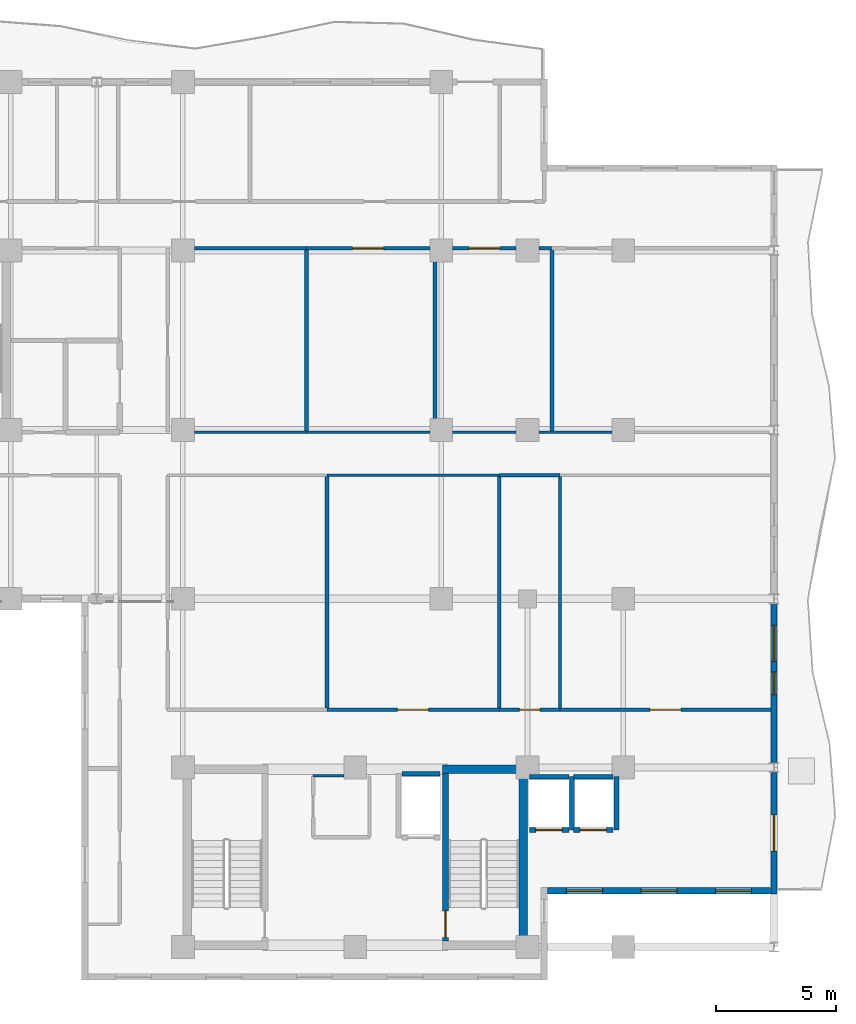
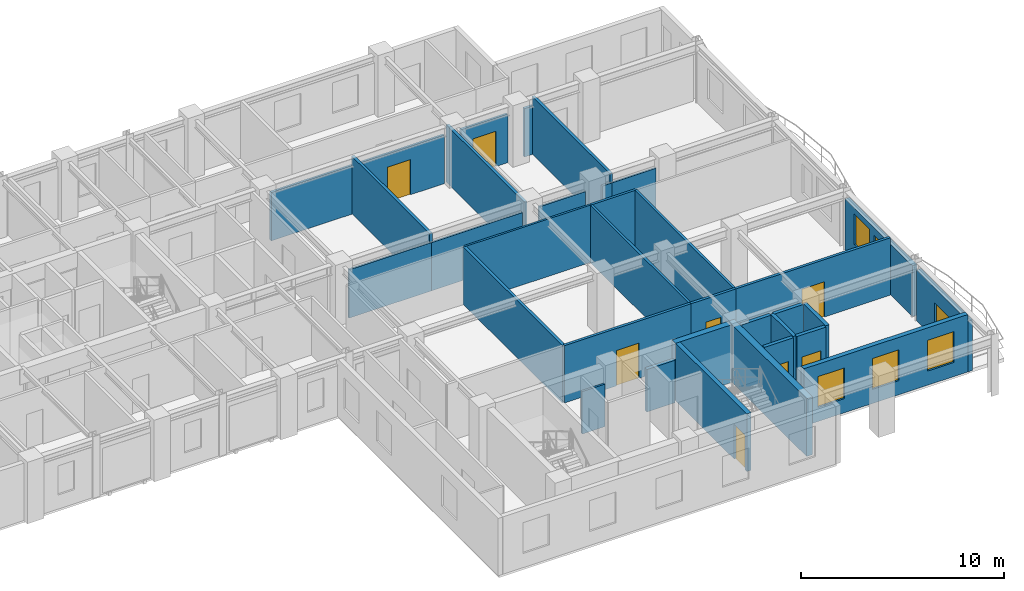
# One storey, part 8 of 14: 34 walls, 9 doors, 5 windows, 14 openings.
"""IFC4 building model written with IfcOpenShell, lengths in metres."""

from ifc_helpers import new_model, si_unit, direction, frame, frame_2d, origin, place, context, subcontext, project, spatial, rectangle, extrude, material, layer, layer_set, type_object, element, fill, save


model = new_model("IFC4")

# Units and contexts
model_context = context("Model", 3, precision=1e-05, world=origin(), true_north=direction((0.0, 1.0)))
body_context = subcontext(model_context, "Body", "Model", "MODEL_VIEW")
ifc_project = project(units=[si_unit("LENGTHUNIT", "METRE"), si_unit("AREAUNIT", "SQUARE_METRE"), si_unit("VOLUMEUNIT", "CUBIC_METRE"), si_unit("PLANEANGLEUNIT", "RADIAN"), si_unit("MASSUNIT", "GRAM", prefix="KILO")], contexts=[model_context])

# Site, building, storey
site_placement = place(None, origin())
site = spatial("IfcSite", under=ifc_project, at=site_placement, CompositionType="ELEMENT")
building_placement = place(site_placement, origin())
building = spatial("IfcBuilding", under=site, at=building_placement, Name="Kaliganga Portal Commons", CompositionType="ELEMENT")
storey_placement = place(building_placement, frame((0.0, 0.0, 227.699951171875)))
storey = spatial("IfcBuildingStorey", under=building, at=storey_placement, Name="L58", CompositionType="ELEMENT", Elevation=227.699951171875)

# Walls
ifc_material_1 = material(Name="Concrete C50/60", Category="concrete")
ifc_layer_1 = layer(ifc_material_1, 0.35009765625)
ifc_layer_set_1 = layer_set([ifc_layer_1], Name="Concrete C50/60")
wall_type_1 = type_object("IfcWallType", Name="WL-CORE-350", PredefinedType="SHEAR", material=ifc_layer_set_1)
wall_1_placement = place(storey_placement, frame((50.22509765625, 6.949951171875, 0.0), z_axis=(0.0, 0.0, 1.0), x_axis=(0.0, 1.0, 0.0)))
element("IfcWall", 1, at=wall_1_placement, inside=storey, type_object=wall_type_1, Name="Core B East Shear Wall L58", PredefinedType="SHEAR", context=body_context, shape_type="SweptSolid", body=[
    extrude(rectangle(XDim=7.699951171875, YDim=0.35009765625, at=frame_2d((3.85009765625, 0.0))), origin(), (0.0, 0.0, 1.0), 3.469970703125),
])
wall_2_placement = place(storey_placement, frame((46.85009765625, 14.47509765625, 0.0), z_axis=(0.0, 0.0, 1.0), x_axis=(1.0, 0.0, 0.0)))
element("IfcWall", 2, at=wall_2_placement, inside=storey, type_object=wall_type_1, Name="Core B N-East Shear Wall L58", PredefinedType="SHEAR", context=body_context, shape_type="SweptSolid", body=[
    extrude(rectangle(XDim=3.199951171875, YDim=0.35009765625, at=frame_2d((1.60009765625, 0.0))), origin(), (0.0, 0.0, 1.0), 3.469970703125),
])

# Wall, openings, windows
ifc_material_2 = material(Name="Insulated Aluminium-Clad Spandrel Assembly", Category="aluminium")
ifc_layer_2 = layer(ifc_material_2, 0.260009765625)
ifc_layer_set_2 = layer_set([ifc_layer_2], Name="Insulated Aluminium-Clad Spandrel Assembly")
wall_type_2 = type_object("IfcWallType", Name="WL-EXT-SPAND-260", PredefinedType="STANDARD", material=ifc_layer_set_2)
wall_3_placement = place(storey_placement, frame((60.56494140625, 9.39990234375, 0.0), z_axis=(0.0, 0.0, 1.0), x_axis=(-1.0, 0.0, 0.0)))
wall_3 = element("IfcWall", 3, at=wall_3_placement, inside=storey, type_object=wall_type_2, Name="Exterior Envelope Wall L58 P1-E02-S1", PredefinedType="STANDARD", context=body_context, shape_type="SweptSolid", body=[
    extrude(rectangle(XDim=9.329833984375, YDim=0.260009765625, at=frame_2d((4.6650390625, 0.0))), origin(), (0.0, 0.0, 1.0), 3.449951171875),
])
opening_1_placement = place(wall_3_placement, frame((0.804931640625, 0.0, 0.85009765625)))
opening_1 = element("IfcOpeningElement", 4, at=opening_1_placement, cuts=wall_3, Name="Opening W-02", PredefinedType="OPENING", context=body_context, shape_type="SweptSolid", body=[
    extrude(rectangle(XDim=1.5, YDim=1.85009765625, at=frame_2d((0.75, 0.925048828125))), frame((0.0, 0.14013671875, 0.0), z_axis=(0.0, -1.0, 0.0), x_axis=(1.0, 0.0, 0.0)), (0.0, 0.0, 1.0), 0.280029296875),
])
opening_2_placement = place(wall_3_placement, frame((3.9150390625, 0.0, 0.85009765625)))
opening_2 = element("IfcOpeningElement", 5, at=opening_2_placement, cuts=wall_3, Name="Opening W-02", PredefinedType="OPENING", context=body_context, shape_type="SweptSolid", body=[
    extrude(rectangle(XDim=1.5, YDim=1.85009765625, at=frame_2d((0.75, 0.925048828125))), frame((0.0, 0.14013671875, 0.0), z_axis=(0.0, -1.0, 0.0), x_axis=(1.0, 0.0, 0.0)), (0.0, 0.0, 1.0), 0.280029296875),
])
opening_3_placement = place(wall_3_placement, frame((7.02490234375, 0.0, 0.85009765625)))
opening_3 = element("IfcOpeningElement", 6, at=opening_3_placement, cuts=wall_3, Name="Opening W-02", PredefinedType="OPENING", context=body_context, shape_type="SweptSolid", body=[
    extrude(rectangle(XDim=1.5, YDim=1.85009765625, at=frame_2d((0.75, 0.925048828125))), frame((0.0, 0.14013671875, 0.0), z_axis=(0.0, -1.0, 0.0), x_axis=(1.0, 0.0, 0.0)), (0.0, 0.0, 1.0), 0.280029296875),
])
ifc_material_3 = material(Name="Thermally Broken Aluminium and Low-E Double Glazing", Category="aluminium")
window_type_1 = type_object("IfcWindowType", Name="WIN-STD-1500", PartitioningType="DOUBLE_PANEL_VERTICAL", PredefinedType="WINDOW", material=ifc_material_3)
window_1_placement = place(opening_1_placement, origin())
window_1 = element("IfcWindow", 7, at=window_1_placement, inside=storey, type_object=window_type_1, Name="Facade Window L58-P1E02S1-00", OverallHeight=1.85009765625, OverallWidth=1.5, PartitioningType="SINGLE_PANEL", PredefinedType="WINDOW", context=body_context, shape_type="SweptSolid", body=[
    extrude(rectangle(XDim=1.5, YDim=1.85009765625, at=frame_2d((0.75, 0.925048828125))), frame((0.0, 0.030029296875, 0.0), z_axis=(0.0, -1.0, 0.0), x_axis=(1.0, 0.0, 0.0)), (0.0, 0.0, 1.0), 0.06005859375),
])
fill(opening_1, window_1)
window_2_placement = place(opening_2_placement, origin())
window_2 = element("IfcWindow", 8, at=window_2_placement, inside=storey, type_object=window_type_1, Name="Facade Window L58-P1E02S1-01", OverallHeight=1.85009765625, OverallWidth=1.5, PartitioningType="SINGLE_PANEL", PredefinedType="WINDOW", context=body_context, shape_type="SweptSolid", body=[
    extrude(rectangle(XDim=1.5, YDim=1.85009765625, at=frame_2d((0.75, 0.925048828125))), frame((0.0, 0.030029296875, 0.0), z_axis=(0.0, -1.0, 0.0), x_axis=(1.0, 0.0, 0.0)), (0.0, 0.0, 1.0), 0.06005859375),
])
fill(opening_2, window_2)
window_3_placement = place(opening_3_placement, origin())
window_3 = element("IfcWindow", 9, at=window_3_placement, inside=storey, type_object=window_type_1, Name="Facade Window L58-P1E02S1-02", OverallHeight=1.85009765625, OverallWidth=1.5, PartitioningType="SINGLE_PANEL", PredefinedType="WINDOW", context=body_context, shape_type="SweptSolid", body=[
    extrude(rectangle(XDim=1.5, YDim=1.85009765625, at=frame_2d((0.75, 0.925048828125))), frame((0.0, 0.030029296875, 0.0), z_axis=(0.0, -1.0, 0.0), x_axis=(1.0, 0.0, 0.0)), (0.0, 0.0, 1.0), 0.06005859375),
])
fill(opening_3, window_3)

# Wall, opening, door
wall_4_placement = place(storey_placement, frame((60.699951171875, 14.34912109375, 0.0), z_axis=(0.0, 0.0, 1.0), x_axis=(0.0, -1.0, 0.0)))
wall_4 = element("IfcWall", 10, at=wall_4_placement, inside=storey, type_object=wall_type_2, Name="Exterior Envelope Wall L58 P1-E03-S1", PredefinedType="STANDARD", context=body_context, shape_type="SweptSolid", body=[
    extrude(rectangle(XDim=5.0791015625, YDim=0.260009765625, at=frame_2d((2.53955078125, 0.0))), origin(), (0.0, 0.0, 1.0), 3.050048828125),
])
opening_4_placement = place(wall_4_placement, frame((1.7900390625, 0.0, 0.0)))
opening_4 = element("IfcOpeningElement", 11, at=opening_4_placement, cuts=wall_4, Name="Opening BD-01", PredefinedType="OPENING", context=body_context, shape_type="SweptSolid", body=[
    extrude(rectangle(XDim=1.5, YDim=2.14990234375, at=frame_2d((0.75, 1.074951171875))), frame((0.0, 0.14013671875, 0.0), z_axis=(0.0, -1.0, 0.0), x_axis=(1.0, 0.0, 0.0)), (0.0, 0.0, 1.0), 0.280029296875),
])
ifc_material_4 = material(Name="Anodized Aluminium and Laminated Safety Glass", Category="aluminium")
door_type_1 = type_object("IfcDoorType", Name="DR-BALC-1500", OperationType="SLIDING_TO_LEFT", PredefinedType="DOOR", material=ifc_material_4)
door_1_placement = place(opening_4_placement, origin())
door_1 = element("IfcDoor", 12, at=door_1_placement, inside=storey, type_object=door_type_1, Name="Balcony Sliding Door L58 balc_east", OperationType="SLIDING_TO_LEFT", OverallHeight=2.14990234375, OverallWidth=1.5, PredefinedType="DOOR", context=body_context, shape_type="SweptSolid", body=[
    extrude(rectangle(XDim=1.5, YDim=2.14990234375, at=frame_2d((0.75, 1.074951171875))), frame((0.0, 0.02490234375, 0.0), z_axis=(0.0, -1.0, 0.0), x_axis=(1.0, 0.0, 0.0)), (0.0, 0.0, 1.0), 0.050048828125),
])
fill(opening_4, door_1)

# Wall, openings, windows
wall_5_placement = place(storey_placement, frame((60.699951171875, 21.39892578125, 0.0), z_axis=(0.0, 0.0, 1.0), x_axis=(0.0, -1.0, 0.0)))
wall_5 = element("IfcWall", 13, at=wall_5_placement, inside=storey, type_object=wall_type_2, Name="Exterior Envelope Wall L58 P1-E03-S2", PredefinedType="STANDARD", context=body_context, shape_type="SweptSolid", body=[
    extrude(rectangle(XDim=6.64794921875, YDim=0.260009765625, at=frame_2d((3.323974609375, 0.0))), origin(), (0.0, 0.0, 1.0), 3.050048828125),
])
opening_5_placement = place(wall_5_placement, frame((0.912109375, 0.0, 0.85009765625)))
opening_5 = element("IfcOpeningElement", 14, at=opening_5_placement, cuts=wall_5, Name="Opening W-02", PredefinedType="OPENING", context=body_context, shape_type="SweptSolid", body=[
    extrude(rectangle(XDim=1.5, YDim=1.85009765625, at=frame_2d((0.75, 0.925048828125))), frame((0.0, 0.14013671875, 0.0), z_axis=(0.0, -1.0, 0.0), x_axis=(1.0, 0.0, 0.0)), (0.0, 0.0, 1.0), 0.280029296875),
])
opening_6_placement = place(wall_5_placement, frame((2.84912109375, 0.0, 0.85009765625)))
opening_6 = element("IfcOpeningElement", 15, at=opening_6_placement, cuts=wall_5, Name="Opening W-04", PredefinedType="OPENING", context=body_context, shape_type="SweptSolid", body=[
    extrude(rectangle(XDim=0.949951171875, YDim=1.75, at=frame_2d((0.47509765625, 0.875))), frame((0.0, 0.14013671875, 0.0), z_axis=(0.0, -1.0, 0.0), x_axis=(1.0, 0.0, 0.0)), (0.0, 0.0, 1.0), 0.280029296875),
])
window_type_2 = type_object("IfcWindowType", Name="WIN-NARROW-950", PartitioningType="SINGLE_PANEL", PredefinedType="WINDOW", material=ifc_material_3)
window_4_placement = place(opening_6_placement, origin())
window_4 = element("IfcWindow", 16, at=window_4_placement, inside=storey, type_object=window_type_2, Name="Facade Window L58-P1E03S2-N0", OverallHeight=1.75, OverallWidth=0.949951171875, PartitioningType="SINGLE_PANEL", PredefinedType="WINDOW", context=body_context, shape_type="SweptSolid", body=[
    extrude(rectangle(XDim=0.949951171875, YDim=1.75, at=frame_2d((0.47509765625, 0.875))), frame((0.0, 0.030029296875, 0.0), z_axis=(0.0, -1.0, 0.0), x_axis=(1.0, 0.0, 0.0)), (0.0, 0.0, 1.0), 0.06005859375),
])
fill(opening_6, window_4)
window_5_placement = place(opening_5_placement, origin())
window_5 = element("IfcWindow", 17, at=window_5_placement, inside=storey, type_object=window_type_1, Name="Facade Window L58-P1E03S2-00", OverallHeight=1.85009765625, OverallWidth=1.5, PartitioningType="SINGLE_PANEL", PredefinedType="WINDOW", context=body_context, shape_type="SweptSolid", body=[
    extrude(rectangle(XDim=1.5, YDim=1.85009765625, at=frame_2d((0.75, 0.925048828125))), frame((0.0, 0.030029296875, 0.0), z_axis=(0.0, -1.0, 0.0), x_axis=(1.0, 0.0, 0.0)), (0.0, 0.0, 1.0), 0.06005859375),
])
fill(opening_5, window_5)

# Wall, opening, door
ifc_material_5 = material(Name="Fire-Rated Gypsum Board on Steel Stud", Category="steel")
ifc_layer_3 = layer(ifc_material_5, 0.14990234375)
ifc_layer_set_3 = layer_set([ifc_layer_3], Name="Fire-Rated Gypsum Board on Steel Stud")
wall_type_3 = type_object("IfcWallType", Name="WL-PART-CORR-150", PredefinedType="PARTITIONING", material=ifc_layer_set_3)
wall_6_placement = place(storey_placement, frame((51.760009765625, 16.9599609375, 0.0), z_axis=(0.0, 0.0, 1.0), x_axis=(1.0, 0.0, 0.0)))
wall_6 = element("IfcWall", 18, at=wall_6_placement, inside=storey, type_object=wall_type_3, Name="Interior Partition L58-005", PredefinedType="PARTITIONING", context=body_context, shape_type="SweptSolid", body=[
    extrude(rectangle(XDim=8.80810546875, YDim=0.14990234375, at=frame_2d((4.404052734375, 0.0))), origin(), (0.0, 0.0, 1.0), 3.449951171875),
])
opening_7_placement = place(wall_6_placement, frame((3.75390625, 0.0, 0.0)))
opening_7 = element("IfcOpeningElement", 19, at=opening_7_placement, cuts=wall_6, Name="Opening RD-03", PredefinedType="OPENING", context=body_context, shape_type="SweptSolid", body=[
    extrude(rectangle(XDim=1.300048828125, YDim=2.1201171875, at=frame_2d((0.64990234375, 1.06005859375))), frame((0.0, 0.0849609375, 0.0), z_axis=(0.0, -1.0, 0.0), x_axis=(1.0, 0.0, 0.0)), (0.0, 0.0, 1.0), 0.169921875),
])
ifc_material_6 = material(Name="Glazed Timber Seminar Vision Door", Category="wood")
door_type_2 = type_object("IfcDoorType", Name="DR-STUDY-1300", OperationType="DOUBLE_DOOR_SINGLE_SWING", PredefinedType="DOOR", material=ifc_material_6)
door_2_placement = place(opening_7_placement, origin())
door_2 = element("IfcDoor", 20, at=door_2_placement, inside=storey, type_object=door_type_2, Name="Interior Door L58-BM04", OperationType="DOUBLE_DOOR_SINGLE_SWING", OverallHeight=2.1201171875, OverallWidth=1.300048828125, PredefinedType="DOOR", context=body_context, shape_type="SweptSolid", body=[
    extrude(rectangle(XDim=1.300048828125, YDim=2.1201171875, at=frame_2d((0.64990234375, 1.06005859375))), frame((0.0, 0.02490234375, 0.0), z_axis=(0.0, -1.0, 0.0), x_axis=(1.0, 0.0, 0.0)), (0.0, 0.0, 1.0), 0.050048828125),
])
fill(opening_7, door_2)

wall_7_placement = place(storey_placement, frame((42.02001953125, 16.9599609375, 0.0), z_axis=(0.0, 0.0, 1.0), x_axis=(1.0, 0.0, 0.0)))
wall_7 = element("IfcWall", 21, at=wall_7_placement, inside=storey, type_object=wall_type_3, Name="Interior Partition L58-007", PredefinedType="PARTITIONING", context=body_context, shape_type="SweptSolid", body=[
    extrude(rectangle(XDim=7.199951171875, YDim=0.14990234375, at=frame_2d((3.60009765625, 0.0))), origin(), (0.0, 0.0, 1.0), 3.449951171875),
])
opening_8_placement = place(wall_7_placement, frame((2.949951171875, 0.0, 0.0)))
opening_8 = element("IfcOpeningElement", 22, at=opening_8_placement, cuts=wall_7, Name="Opening RD-03", PredefinedType="OPENING", context=body_context, shape_type="SweptSolid", body=[
    extrude(rectangle(XDim=1.300048828125, YDim=2.1201171875, at=frame_2d((0.64990234375, 1.06005859375))), frame((0.0, 0.0849609375, 0.0), z_axis=(0.0, -1.0, 0.0), x_axis=(1.0, 0.0, 0.0)), (0.0, 0.0, 1.0), 0.169921875),
])
door_3_placement = place(opening_8_placement, origin())
door_3 = element("IfcDoor", 23, at=door_3_placement, inside=storey, type_object=door_type_2, Name="Interior Door L58-BM02", OperationType="DOUBLE_DOOR_SINGLE_SWING", OverallHeight=2.1201171875, OverallWidth=1.300048828125, PredefinedType="DOOR", context=body_context, shape_type="SweptSolid", body=[
    extrude(rectangle(XDim=1.300048828125, YDim=2.1201171875, at=frame_2d((0.64990234375, 1.06005859375))), frame((0.0, 0.02490234375, 0.0), z_axis=(0.0, -1.0, 0.0), x_axis=(1.0, 0.0, 0.0)), (0.0, 0.0, 1.0), 0.050048828125),
])
fill(opening_8, door_3)

# Wall
wall_8_placement = place(storey_placement, frame((36.47509765625, 36.239990234375, 0.0), z_axis=(0.0, 0.0, 1.0), x_axis=(1.0, 0.0, 0.0)))
element("IfcWall", 24, at=wall_8_placement, inside=storey, type_object=wall_type_3, Name="Interior Partition L58-014", PredefinedType="PARTITIONING", context=body_context, shape_type="SweptSolid", body=[
    extrude(rectangle(XDim=4.684814453125, YDim=0.14990234375, at=frame_2d((2.34228515625, 0.0))), origin(), (0.0, 0.0, 1.0), 2.900146484375),
])

# Wall, opening, door
wall_9_placement = place(storey_placement, frame((41.159912109375, 36.239990234375, 0.0), z_axis=(0.0, 0.0, 1.0), x_axis=(1.0, 0.0, 0.0)))
wall_9 = element("IfcWall", 25, at=wall_9_placement, inside=storey, type_object=wall_type_3, Name="Interior Partition L58-017", PredefinedType="PARTITIONING", context=body_context, shape_type="SweptSolid", body=[
    extrude(rectangle(XDim=5.1650390625, YDim=0.14990234375, at=frame_2d((2.58251953125, 0.0))), origin(), (0.0, 0.0, 1.0), 2.900146484375),
])
opening_9_placement = place(wall_9_placement, frame((1.9326171875, 0.0, 0.0)))
opening_9 = element("IfcOpeningElement", 26, at=opening_9_placement, cuts=wall_9, Name="Opening RD-03", PredefinedType="OPENING", context=body_context, shape_type="SweptSolid", body=[
    extrude(rectangle(XDim=1.300048828125, YDim=2.1201171875, at=frame_2d((0.64990234375, 1.06005859375))), frame((0.0, 0.0849609375, 0.0), z_axis=(0.0, -1.0, 0.0), x_axis=(1.0, 0.0, 0.0)), (0.0, 0.0, 1.0), 0.169921875),
])
door_4_placement = place(opening_9_placement, origin())
door_4 = element("IfcDoor", 27, at=door_4_placement, inside=storey, type_object=door_type_2, Name="Interior Door L58-BK02", OperationType="DOUBLE_DOOR_SINGLE_SWING", OverallHeight=2.1201171875, OverallWidth=1.300048828125, PredefinedType="DOOR", context=body_context, shape_type="SweptSolid", body=[
    extrude(rectangle(XDim=1.300048828125, YDim=2.1201171875, at=frame_2d((0.64990234375, 1.06005859375))), frame((0.0, 0.02490234375, 0.0), z_axis=(0.0, -1.0, 0.0), x_axis=(1.0, 0.0, 0.0)), (0.0, 0.0, 1.0), 0.050048828125),
])
fill(opening_9, door_4)

wall_10_placement = place(storey_placement, frame((47.27490234375, 36.239990234375, 0.0), z_axis=(0.0, 0.0, 1.0), x_axis=(1.0, 0.0, 0.0)))
wall_10 = element("IfcWall", 28, at=wall_10_placement, inside=storey, type_object=wall_type_3, Name="Interior Partition L58-020", PredefinedType="PARTITIONING", context=body_context, shape_type="SweptSolid", body=[
    extrude(rectangle(XDim=2.650146484375, YDim=0.14990234375, at=frame_2d((1.3251953125, 0.0))), origin(), (0.0, 0.0, 1.0), 2.900146484375),
])
opening_10_placement = place(wall_10_placement, frame((0.675048828125, 0.0, 0.0)))
opening_10 = element("IfcOpeningElement", 29, at=opening_10_placement, cuts=wall_10, Name="Opening RD-03", PredefinedType="OPENING", context=body_context, shape_type="SweptSolid", body=[
    extrude(rectangle(XDim=1.300048828125, YDim=2.1201171875, at=frame_2d((0.64990234375, 1.06005859375))), frame((0.0, 0.0849609375, 0.0), z_axis=(0.0, -1.0, 0.0), x_axis=(1.0, 0.0, 0.0)), (0.0, 0.0, 1.0), 0.169921875),
])
door_5_placement = place(opening_10_placement, origin())
door_5 = element("IfcDoor", 30, at=door_5_placement, inside=storey, type_object=door_type_2, Name="Interior Door L58-BK03", OperationType="DOUBLE_DOOR_SINGLE_SWING", OverallHeight=2.1201171875, OverallWidth=1.300048828125, PredefinedType="DOOR", context=body_context, shape_type="SweptSolid", body=[
    extrude(rectangle(XDim=1.300048828125, YDim=2.1201171875, at=frame_2d((0.64990234375, 1.06005859375))), frame((0.0, 0.02490234375, 0.0), z_axis=(0.0, -1.0, 0.0), x_axis=(1.0, 0.0, 0.0)), (0.0, 0.0, 1.0), 0.050048828125),
])
fill(opening_10, door_5)

# Wall
wall_11_placement = place(storey_placement, frame((50.875, 36.239990234375, 0.0), z_axis=(0.0, 0.0, 1.0), x_axis=(1.0, 0.0, 0.0)))
element("IfcWall", 31, at=wall_11_placement, inside=storey, type_object=wall_type_3, Name="Interior Partition L58-021", PredefinedType="PARTITIONING", context=body_context, shape_type="SweptSolid", body=[
    extrude(rectangle(XDim=0.544921875, YDim=0.14990234375, at=frame_2d((0.2724609375, 0.0))), origin(), (0.0, 0.0, 1.0), 2.900146484375),
])

# Wall, opening, door
wall_12_placement = place(storey_placement, frame((49.219970703125, 16.9599609375, 0.0), z_axis=(0.0, 0.0, 1.0), x_axis=(1.0, 0.0, 0.0)))
wall_12 = element("IfcWall", 32, at=wall_12_placement, inside=storey, type_object=wall_type_3, Name="Interior Partition L58-032", PredefinedType="PARTITIONING", context=body_context, shape_type="SweptSolid", body=[
    extrude(rectangle(XDim=2.5400390625, YDim=0.14990234375, at=frame_2d((1.27001953125, 0.0))), origin(), (0.0, 0.0, 1.0), 3.449951171875),
])
opening_11_placement = place(wall_12_placement, frame((0.844970703125, 0.0, 0.0)))
opening_11 = element("IfcOpeningElement", 33, at=opening_11_placement, cuts=wall_12, Name="Opening WD-01", PredefinedType="OPENING", context=body_context, shape_type="SweptSolid", body=[
    extrude(rectangle(XDim=0.85009765625, YDim=2.0400390625, at=frame_2d((0.425048828125, 1.02001953125))), frame((0.0, 0.0849609375, 0.0), z_axis=(0.0, -1.0, 0.0), x_axis=(1.0, 0.0, 0.0)), (0.0, 0.0, 1.0), 0.169921875),
])
ifc_material_7 = material(Name="Moisture-Resistant Laminate Timber Door", Category="wood")
door_type_3 = type_object("IfcDoorType", Name="DR-WET-850", OperationType="NOTDEFINED", PredefinedType="DOOR", material=ifc_material_7)
door_6_placement = place(opening_11_placement, origin())
door_6 = element("IfcDoor", 34, at=door_6_placement, inside=storey, type_object=door_type_3, Name="Interior Door L58-BM03", OperationType="SINGLE_SWING_RIGHT", OverallHeight=2.0400390625, OverallWidth=0.85009765625, PredefinedType="DOOR", context=body_context, shape_type="SweptSolid", body=[
    extrude(rectangle(XDim=0.85009765625, YDim=2.0400390625, at=frame_2d((0.425048828125, 1.02001953125))), frame((0.0, 0.02490234375, 0.0), z_axis=(0.0, -1.0, 0.0), x_axis=(1.0, 0.0, 0.0)), (0.0, 0.0, 1.0), 0.050048828125),
])
fill(opening_11, door_6)

# Walls
ifc_material_8 = material(Name="Moisture-Resistant Gypsum Partition", Category="gypsum")
ifc_layer_4 = layer(ifc_material_8, 0.114990234375)
ifc_layer_set_4 = layer_set([ifc_layer_4], Name="Moisture-Resistant Gypsum Partition")
wall_type_4 = type_object("IfcWallType", Name="WL-PART-ROOM-115", PredefinedType="PARTITIONING", material=ifc_layer_set_4)
wall_13_placement = place(storey_placement, frame((51.419921875, 28.56005859375, 0.0), z_axis=(0.0, 0.0, 1.0), x_axis=(1.0, 0.0, 0.0)))
element("IfcWall", 35, at=wall_13_placement, inside=storey, type_object=wall_type_4, Name="Interior Partition L58-048", PredefinedType="PARTITIONING", context=body_context, shape_type="SweptSolid", body=[
    extrude(rectangle(XDim=2.505126953125, YDim=0.114990234375, at=frame_2d((1.25244140625, 0.0))), origin(), (0.0, 0.0, 1.0), 2.900146484375),
])
wall_14_placement = place(storey_placement, frame((42.02001953125, 26.760009765625, 0.0), z_axis=(0.0, 0.0, 1.0), x_axis=(1.0, 0.0, 0.0)))
element("IfcWall", 36, at=wall_14_placement, inside=storey, type_object=wall_type_4, Name="Interior Partition L58-054", PredefinedType="PARTITIONING", context=body_context, shape_type="SweptSolid", body=[
    extrude(rectangle(XDim=7.199951171875, YDim=0.114990234375, at=frame_2d((3.60009765625, 0.0))), origin(), (0.0, 0.0, 1.0), 3.449951171875),
])
wall_15_placement = place(storey_placement, frame((36.47509765625, 28.56005859375, 0.0), z_axis=(0.0, 0.0, 1.0), x_axis=(1.0, 0.0, 0.0)))
element("IfcWall", 37, at=wall_15_placement, inside=storey, type_object=wall_type_4, Name="Interior Partition L58-056", PredefinedType="PARTITIONING", context=body_context, shape_type="SweptSolid", body=[
    extrude(rectangle(XDim=4.684814453125, YDim=0.114990234375, at=frame_2d((2.34228515625, 0.0))), origin(), (0.0, 0.0, 1.0), 2.900146484375),
])
wall_16_placement = place(storey_placement, frame((41.159912109375, 28.56005859375, 0.0), z_axis=(0.0, 0.0, 1.0), x_axis=(1.0, 0.0, 0.0)))
element("IfcWall", 38, at=wall_16_placement, inside=storey, type_object=wall_type_4, Name="Interior Partition L58-057", PredefinedType="PARTITIONING", context=body_context, shape_type="SweptSolid", body=[
    extrude(rectangle(XDim=5.1650390625, YDim=0.114990234375, at=frame_2d((2.58251953125, 0.0))), origin(), (0.0, 0.0, 1.0), 2.900146484375),
])
wall_17_placement = place(storey_placement, frame((47.27490234375, 28.56005859375, 0.0), z_axis=(0.0, 0.0, 1.0), x_axis=(1.0, 0.0, 0.0)))
element("IfcWall", 39, at=wall_17_placement, inside=storey, type_object=wall_type_4, Name="Interior Partition L58-070", PredefinedType="PARTITIONING", context=body_context, shape_type="SweptSolid", body=[
    extrude(rectangle(XDim=2.650146484375, YDim=0.114990234375, at=frame_2d((1.3251953125, 0.0))), origin(), (0.0, 0.0, 1.0), 2.900146484375),
])
wall_18_placement = place(storey_placement, frame((50.875, 28.56005859375, 0.0), z_axis=(0.0, 0.0, 1.0), x_axis=(1.0, 0.0, 0.0)))
element("IfcWall", 40, at=wall_18_placement, inside=storey, type_object=wall_type_4, Name="Interior Partition L58-071", PredefinedType="PARTITIONING", context=body_context, shape_type="SweptSolid", body=[
    extrude(rectangle(XDim=0.544921875, YDim=0.114990234375, at=frame_2d((0.2724609375, 0.0))), origin(), (0.0, 0.0, 1.0), 2.900146484375),
])
wall_19_placement = place(storey_placement, frame((41.43994140625, 14.199951171875, 0.0), z_axis=(0.0, 0.0, 1.0), x_axis=(1.0, 0.0, 0.0)))
element("IfcWall", 41, at=wall_19_placement, inside=storey, type_object=wall_type_4, Name="Interior Partition L58-078", PredefinedType="PARTITIONING", context=body_context, shape_type="SweptSolid", body=[
    extrude(rectangle(XDim=1.28515625, YDim=0.114990234375, at=frame_2d((0.642578125, 0.0))), origin(), (0.0, 0.0, 1.0), 2.550048828125),
])
ifc_material_9 = material(Name="Twin-Stud Acoustic Gypsum Partition", Category="gypsum")
ifc_layer_5 = layer(ifc_material_9, 0.1650390625)
ifc_layer_set_5 = layer_set([ifc_layer_5], Name="Twin-Stud Acoustic Gypsum Partition")
wall_type_5 = type_object("IfcWallType", Name="WL-PART-UNIT-165", PredefinedType="PARTITIONING", material=ifc_layer_set_5)
wall_20_placement = place(storey_placement, frame((42.02001953125, 16.9599609375, 0.0), z_axis=(0.0, 0.0, 1.0), x_axis=(0.0, 1.0, 0.0)))
element("IfcWall", 42, at=wall_20_placement, inside=storey, type_object=wall_type_5, Name="Interior Partition L58-045", PredefinedType="PARTITIONING", context=body_context, shape_type="SweptSolid", body=[
    extrude(rectangle(XDim=9.800048828125, YDim=0.1650390625, at=frame_2d((4.89990234375, 0.0))), origin(), (0.0, 0.0, 1.0), 3.449951171875),
])
for number, where, z_axis, x_axis, name in (
    (43, (41.159912109375, 28.56005859375, 0.0), (0.0, 0.0, 1.0), (0.0, 1.0, 0.0), "Interior Partition L58-051"),
    (44, (46.5400390625, 28.56005859375, 0.0), (0.0, 0.0, 1.0), (0.0, 1.0, 0.0), "Interior Partition L58-052"),
    (45, (51.419921875, 28.56005859375, 0.0), (0.0, 0.0, 1.0), (0.0, 1.0, 0.0), "Interior Partition L58-053"),
):
    element("IfcWall", number, at=place(storey_placement, frame(where, z_axis=z_axis, x_axis=x_axis)), inside=storey, type_object=wall_type_5, Name=name, PredefinedType="PARTITIONING", context=body_context, shape_type="SweptSolid", body=[
        extrude(rectangle(XDim=7.679931640625, YDim=0.1650390625, at=frame_2d((3.83984375, 0.0))), origin(), (0.0, 0.0, 1.0), 3.449951171875),
    ])
ifc_material_10 = material(Name="Cement-Board Wet-Room Partition", Category="gypsum")
ifc_layer_6 = layer(ifc_material_10, 0.135009765625)
ifc_layer_set_6 = layer_set([ifc_layer_6], Name="Cement-Board Wet-Room Partition")
wall_type_6 = type_object("IfcWallType", Name="WL-PART-WET-135", PredefinedType="PARTITIONING", material=ifc_layer_set_6)
for number, where, z_axis, x_axis, name in (
    (46, (49.219970703125, 16.9599609375, 0.0), (0.0, 0.0, 1.0), (0.0, 1.0, 0.0), "Interior Partition L58-046"),
    (47, (51.760009765625, 16.9599609375, 0.0), (0.0, 0.0, 1.0), (0.0, 1.0, 0.0), "Interior Partition L58-047"),
):
    element("IfcWall", number, at=place(storey_placement, frame(where, z_axis=z_axis, x_axis=x_axis)), inside=storey, type_object=wall_type_6, Name=name, PredefinedType="PARTITIONING", context=body_context, shape_type="SweptSolid", body=[
        extrude(rectangle(XDim=9.800048828125, YDim=0.135009765625, at=frame_2d((4.89990234375, 0.0))), origin(), (0.0, 0.0, 1.0), 3.449951171875),
    ])
wall_21_placement = place(storey_placement, frame((49.219970703125, 26.760009765625, 0.0), z_axis=(0.0, 0.0, 1.0), x_axis=(1.0, 0.0, 0.0)))
element("IfcWall", 48, at=wall_21_placement, inside=storey, type_object=wall_type_6, Name="Interior Partition L58-077", PredefinedType="PARTITIONING", context=body_context, shape_type="SweptSolid", body=[
    extrude(rectangle(XDim=2.5400390625, YDim=0.135009765625, at=frame_2d((1.27001953125, 0.0))), origin(), (0.0, 0.0, 1.0), 3.449951171875),
])

# Wall, opening, door
ifc_material_11 = material(Name="Fire-Rated Shaftwall Masonry Assembly", Category="masonry")
ifc_layer_7 = layer(ifc_material_11, 0.199951171875)
ifc_layer_set_7 = layer_set([ifc_layer_7], Name="Fire-Rated Shaftwall Masonry Assembly")
wall_type_7 = type_object("IfcWallType", Name="WL-SHAFT-200", PredefinedType="PARTITIONING", material=ifc_layer_set_7)
wall_22_placement = place(storey_placement, frame((50.47509765625, 11.93505859375, 0.0), z_axis=(0.0, 0.0, 1.0), x_axis=(1.0, 0.0, 0.0)))
wall_22 = element("IfcWall", 49, at=wall_22_placement, inside=storey, type_object=wall_type_7, Name="Lift PL-B3 Hoistway Shaft Wall L58-S", PredefinedType="PARTITIONING", context=body_context, shape_type="SweptSolid", body=[
    extrude(rectangle(XDim=1.64990234375, YDim=0.199951171875, at=frame_2d((0.824951171875, 0.0))), origin(), (0.0, 0.0, 1.0), 3.449951171875),
])
opening_12_placement = place(wall_22_placement, frame((0.27490234375, 0.0, 0.0)))
opening_12 = element("IfcOpeningElement", 50, at=opening_12_placement, cuts=wall_22, Name="Opening LD-01", PredefinedType="OPENING", context=body_context, shape_type="SweptSolid", body=[
    extrude(rectangle(XDim=1.10009765625, YDim=2.1201171875, at=frame_2d((0.550048828125, 1.06005859375))), frame((0.0, 0.10986328125, 0.0), z_axis=(0.0, -1.0, 0.0), x_axis=(1.0, 0.0, 0.0)), (0.0, 0.0, 1.0), 0.219970703125),
])
ifc_material_12 = material(Name="Brushed Stainless Steel 316 Lift Landing Door", Category="steel")
door_type_4 = type_object("IfcDoorType", Name="DR-LIFT-1100", OperationType="SLIDING_TO_LEFT", PredefinedType="DOOR", material=ifc_material_12)
door_7_placement = place(opening_12_placement, origin())
door_7 = element("IfcDoor", 51, at=door_7_placement, inside=storey, type_object=door_type_4, Name="Lift PL-B3 Sliding Landing Door L58", OperationType="SLIDING_TO_LEFT", OverallHeight=2.1201171875, OverallWidth=1.10009765625, PredefinedType="DOOR", context=body_context, shape_type="SweptSolid", body=[
    extrude(rectangle(XDim=1.10009765625, YDim=2.1201171875, at=frame_2d((0.550048828125, 1.06005859375))), frame((0.0, 0.02490234375, 0.0), z_axis=(0.0, -1.0, 0.0), x_axis=(1.0, 0.0, 0.0)), (0.0, 0.0, 1.0), 0.050048828125),
])
fill(opening_12, door_7)

# Walls
wall_23_placement = place(storey_placement, frame((50.47509765625, 14.1650390625, 0.0), z_axis=(0.0, 0.0, 1.0), x_axis=(1.0, 0.0, 0.0)))
element("IfcWall", 52, at=wall_23_placement, inside=storey, type_object=wall_type_7, Name="Lift PL-B3 Hoistway Shaft Wall L58-N", PredefinedType="PARTITIONING", context=body_context, shape_type="SweptSolid", body=[
    extrude(rectangle(XDim=1.64990234375, YDim=0.199951171875, at=frame_2d((0.824951171875, 0.0))), origin(), (0.0, 0.0, 1.0), 3.449951171875),
])
wall_24_placement = place(storey_placement, frame((52.264892578125, 11.93505859375, 0.0), z_axis=(0.0, 0.0, 1.0), x_axis=(0.0, 1.0, 0.0)))
element("IfcWall", 53, at=wall_24_placement, inside=storey, type_object=wall_type_7, Name="Lift PL-B3 Hoistway Shaft Wall L58-E", PredefinedType="PARTITIONING", context=body_context, shape_type="SweptSolid", body=[
    extrude(rectangle(XDim=2.22998046875, YDim=0.199951171875, at=frame_2d((1.114990234375, 0.0))), origin(), (0.0, 0.0, 1.0), 3.449951171875),
])

# Wall, opening, door
wall_25_placement = place(storey_placement, frame((52.324951171875, 11.93505859375, 0.0), z_axis=(0.0, 0.0, 1.0), x_axis=(1.0, 0.0, 0.0)))
wall_25 = element("IfcWall", 54, at=wall_25_placement, inside=storey, type_object=wall_type_7, Name="Lift PL-B4 Hoistway Shaft Wall L58-S", PredefinedType="PARTITIONING", context=body_context, shape_type="SweptSolid", body=[
    extrude(rectangle(XDim=1.650146484375, YDim=0.199951171875, at=frame_2d((0.8251953125, 0.0))), origin(), (0.0, 0.0, 1.0), 3.449951171875),
])
opening_13_placement = place(wall_25_placement, frame((0.27490234375, 0.0, 0.0)))
opening_13 = element("IfcOpeningElement", 55, at=opening_13_placement, cuts=wall_25, Name="Opening LD-01", PredefinedType="OPENING", context=body_context, shape_type="SweptSolid", body=[
    extrude(rectangle(XDim=1.10009765625, YDim=2.1201171875, at=frame_2d((0.550048828125, 1.06005859375))), frame((0.0, 0.10986328125, 0.0), z_axis=(0.0, -1.0, 0.0), x_axis=(1.0, 0.0, 0.0)), (0.0, 0.0, 1.0), 0.219970703125),
])
door_8_placement = place(opening_13_placement, origin())
door_8 = element("IfcDoor", 56, at=door_8_placement, inside=storey, type_object=door_type_4, Name="Lift PL-B4 Sliding Landing Door L58", OperationType="SLIDING_TO_LEFT", OverallHeight=2.1201171875, OverallWidth=1.10009765625, PredefinedType="DOOR", context=body_context, shape_type="SweptSolid", body=[
    extrude(rectangle(XDim=1.10009765625, YDim=2.1201171875, at=frame_2d((0.550048828125, 1.06005859375))), frame((0.0, 0.02490234375, 0.0), z_axis=(0.0, -1.0, 0.0), x_axis=(1.0, 0.0, 0.0)), (0.0, 0.0, 1.0), 0.050048828125),
])
fill(opening_13, door_8)

# Walls
wall_26_placement = place(storey_placement, frame((52.324951171875, 14.1650390625, 0.0), z_axis=(0.0, 0.0, 1.0), x_axis=(1.0, 0.0, 0.0)))
element("IfcWall", 57, at=wall_26_placement, inside=storey, type_object=wall_type_7, Name="Lift PL-B4 Hoistway Shaft Wall L58-N", PredefinedType="PARTITIONING", context=body_context, shape_type="SweptSolid", body=[
    extrude(rectangle(XDim=1.650146484375, YDim=0.199951171875, at=frame_2d((0.8251953125, 0.0))), origin(), (0.0, 0.0, 1.0), 3.449951171875),
])
wall_27_placement = place(storey_placement, frame((54.114990234375, 11.93505859375, 0.0), z_axis=(0.0, 0.0, 1.0), x_axis=(0.0, 1.0, 0.0)))
element("IfcWall", 58, at=wall_27_placement, inside=storey, type_object=wall_type_7, Name="Lift PL-B4 Hoistway Shaft Wall L58-E", PredefinedType="PARTITIONING", context=body_context, shape_type="SweptSolid", body=[
    extrude(rectangle(XDim=2.22998046875, YDim=0.199951171875, at=frame_2d((1.114990234375, 0.0))), origin(), (0.0, 0.0, 1.0), 3.449951171875),
])
wall_28_placement = place(storey_placement, frame((45.14990234375, 14.2900390625, 0.0), z_axis=(0.0, 0.0, 1.0), x_axis=(1.0, 0.0, 0.0)))
element("IfcWall", 59, at=wall_28_placement, inside=storey, type_object=wall_type_7, Name="Lift SL-B1 Hoistway Shaft Wall L58-N", PredefinedType="PARTITIONING", context=body_context, shape_type="SweptSolid", body=[
    extrude(rectangle(XDim=1.60009765625, YDim=0.199951171875, at=frame_2d((0.800048828125, 0.0))), origin(), (0.0, 0.0, 1.0), 2.550048828125),
])

# Wall, opening, door
ifc_layer_8 = layer(ifc_material_1, 0.25)
ifc_layer_set_8 = layer_set([ifc_layer_8], Name="Concrete C50/60")
wall_type_8 = type_object("IfcWallType", Name="WL-STAIR-250", PredefinedType="SHEAR", material=ifc_layer_set_8)
wall_29_placement = place(storey_placement, frame((46.97509765625, 7.300048828125, 0.0), z_axis=(0.0, 0.0, 1.0), x_axis=(0.0, 1.0, 0.0)))
wall_29 = element("IfcWall", 60, at=wall_29_placement, inside=storey, type_object=wall_type_8, Name="Stair B2 Enclosure Shear Wall L58", PredefinedType="SHEAR", context=body_context, shape_type="SweptSolid", body=[
    extrude(rectangle(XDim=7.0, YDim=0.25, at=frame_2d((3.5, 0.0))), origin(), (0.0, 0.0, 1.0), 3.469970703125),
])
opening_14_placement = place(wall_29_placement, frame((0.14990234375, 0.0, 0.0)))
opening_14 = element("IfcOpeningElement", 61, at=opening_14_placement, cuts=wall_29, Name="Opening SD-01", PredefinedType="OPENING", context=body_context, shape_type="SweptSolid", body=[
    extrude(rectangle(XDim=1.10009765625, YDim=2.080078125, at=frame_2d((0.550048828125, 1.0400390625))), frame((0.0, 0.135009765625, 0.0), z_axis=(0.0, -1.0, 0.0), x_axis=(1.0, 0.0, 0.0)), (0.0, 0.0, 1.0), 0.27001953125),
])
ifc_material_13 = material(Name="Galvanized Steel Fire Door Leaf and Frame", Category="steel")
door_type_5 = type_object("IfcDoorType", Name="DR-STAIR-1100", OperationType="NOTDEFINED", PredefinedType="DOOR", material=ifc_material_13)
door_9_placement = place(opening_14_placement, origin())
door_9 = element("IfcDoor", 62, at=door_9_placement, inside=storey, type_object=door_type_5, Name="Protected Stair ST-B2 Fire Door L58", OperationType="SINGLE_SWING_LEFT", OverallHeight=2.080078125, OverallWidth=1.10009765625, PredefinedType="DOOR", context=body_context, shape_type="SweptSolid", body=[
    extrude(rectangle(XDim=1.10009765625, YDim=2.080078125, at=frame_2d((0.550048828125, 1.0400390625))), frame((0.0, 0.02490234375, 0.0), z_axis=(0.0, -1.0, 0.0), x_axis=(1.0, 0.0, 0.0)), (0.0, 0.0, 1.0), 0.050048828125),
])
fill(opening_14, door_9)

save(model, "model.ifc")
